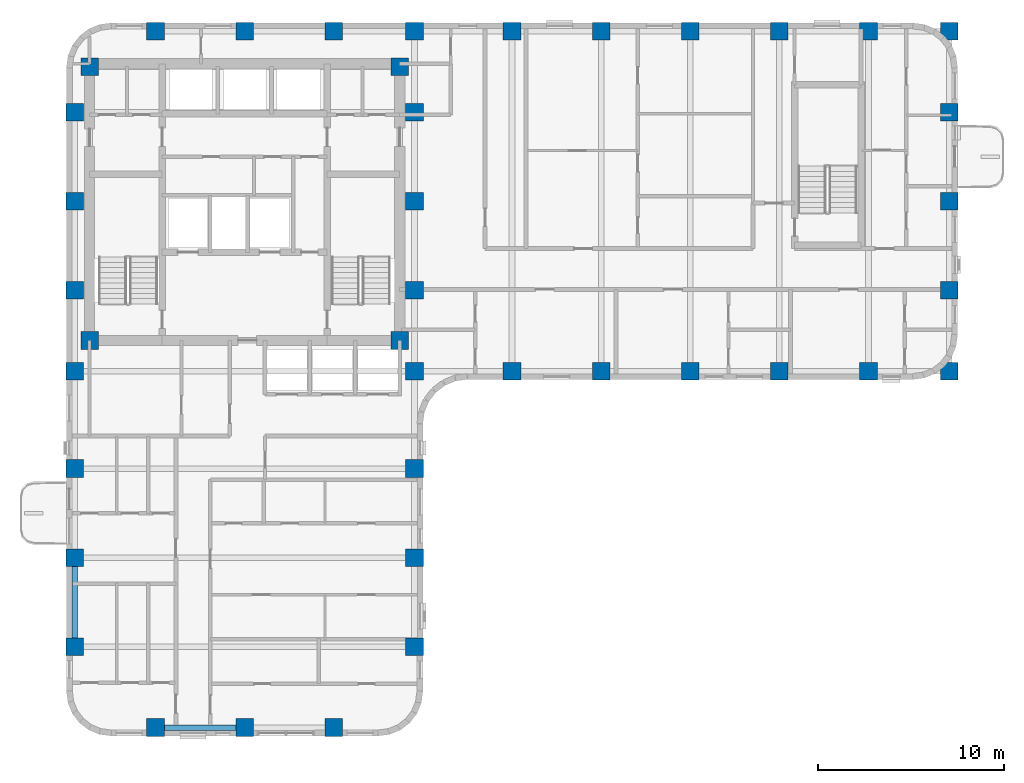
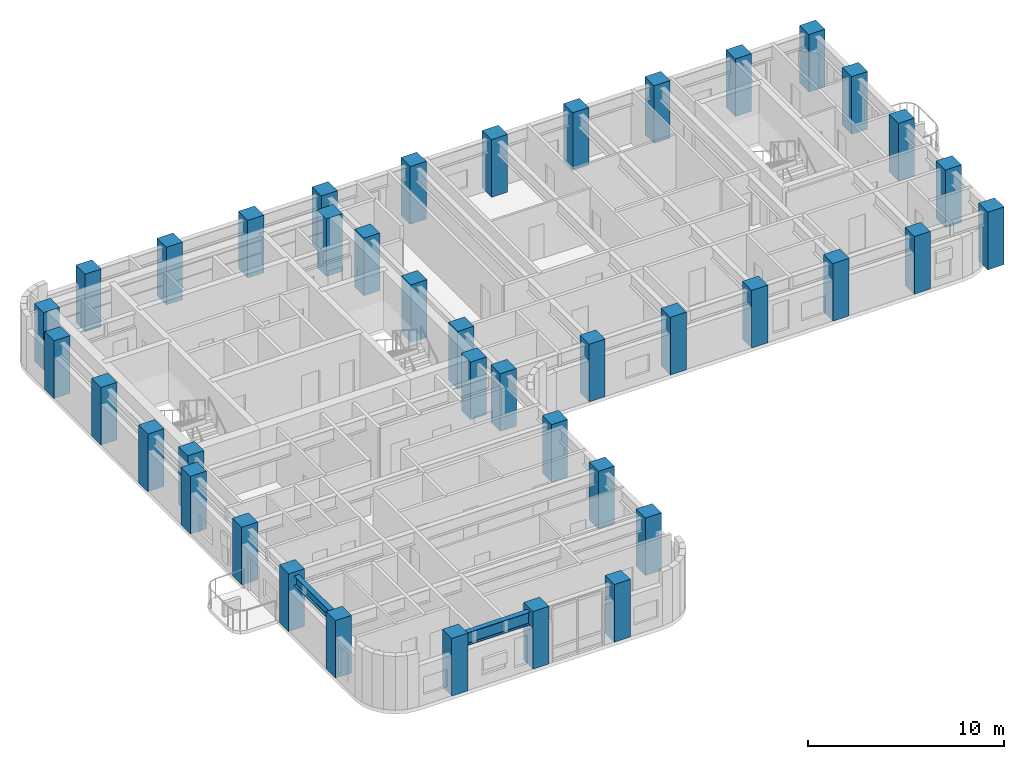
# One storey, part 1 of 11: 40 columns, 2 beams.
"""IFC4 building model written with IfcOpenShell, lengths in metres."""

from ifc_helpers import new_model, si_unit, direction, frame, origin, origin_2d, place, context, subcontext, project, spatial, rectangle, i_section, extrude, material, material_profile, profile_set, type_object, element, save


model = new_model("IFC4")

# Units and contexts
model_context = context("Model", 3, precision=1e-05, world=origin(), true_north=direction((0.0, 1.0)))
body_context = subcontext(model_context, "Body", "Model", "MODEL_VIEW")
ifc_project = project(units=[si_unit("LENGTHUNIT", "METRE"), si_unit("AREAUNIT", "SQUARE_METRE"), si_unit("VOLUMEUNIT", "CUBIC_METRE"), si_unit("PLANEANGLEUNIT", "RADIAN"), si_unit("MASSUNIT", "GRAM", prefix="KILO")], contexts=[model_context])

# Site, building, storey
site_placement = place(None, origin())
site = spatial("IfcSite", under=ifc_project, at=site_placement, CompositionType="ELEMENT")
building_placement = place(site_placement, origin())
building = spatial("IfcBuilding", under=site, at=building_placement, Name="Orvandelia Arch Residences", CompositionType="ELEMENT")
storey_placement = place(building_placement, frame((0.0, 0.0, 125.199951171875)))
storey = spatial("IfcBuildingStorey", under=building, at=storey_placement, Name="L32", CompositionType="ELEMENT", Elevation=125.199951171875)

# Columns
ifc_material_1 = material(Name="Concrete C60/75", Category="concrete")
ifc_material_profile_1 = material_profile(ifc_material_1, rectangle(XDim=0.949951171875, YDim=0.949951171875, at=origin_2d()), Name="Concrete C60/75", Category="concrete")
ifc_profile_set_1 = profile_set([ifc_material_profile_1], Name="Concrete C60/75")
column_type = type_object("IfcColumnType", Name="COL-TWR-950", PredefinedType="COLUMN", material=ifc_profile_set_1)
for number, where, z_axis, x_axis, name in (
    (1, (5.25, 14.39990234375, 0.0), (0.0, 0.0, 1.0), (1.0, 0.0, 0.0), "Structural Column L32-W-W-144"),
    (2, (5.25, 19.199951171875, 0.0), (0.0, 0.0, 1.0), (1.0, 0.0, 0.0), "Structural Column L32-W-W-192"),
    (3, (5.25, 24.0, 0.0), (0.0, 0.0, 1.0), (1.0, 0.0, 0.0), "Structural Column L32-W-W-240"),
    (4, (5.25, 29.25, 0.0), (0.0, 0.0, 1.0), (1.0, 0.0, 0.0), "Structural Column L32-W-W-292"),
    (5, (5.25, 33.60009765625, 0.0), (0.0, 0.0, 1.0), (1.0, 0.0, 0.0), "Structural Column L32-W-W-336"),
    (6, (5.25, 38.39990234375, 0.0), (0.0, 0.0, 1.0), (1.0, 0.0, 0.0), "Structural Column L32-W-W-384"),
    (7, (5.25, 43.199951171875, 0.0), (0.0, 0.0, 1.0), (1.0, 0.0, 0.0), "Structural Column L32-W-W-432"),
    (8, (6.050048828125, 30.89990234375, 0.0), (0.0, 0.0, 1.0), (1.0, 0.0, 0.0), "Structural Column L32-CR-SW"),
    (9, (6.050048828125, 45.64990234375, 0.0), (0.0, 0.0, 1.0), (1.0, 0.0, 0.0), "Structural Column L32-CR-NW"),
    (10, (9.60009765625, 10.050048828125, 0.0), (0.0, 0.0, 1.0), (1.0, 0.0, 0.0), "Structural Column L32-W-S-96"),
    (11, (9.60009765625, 47.550048828125, 0.0), (0.0, 0.0, 1.0), (1.0, 0.0, 0.0), "Structural Column L32-W-N-96"),
    (12, (14.39990234375, 10.050048828125, 0.0), (0.0, 0.0, 1.0), (1.0, 0.0, 0.0), "Structural Column L32-W-S-144"),
    (13, (14.39990234375, 47.550048828125, 0.0), (0.0, 0.0, 1.0), (1.0, 0.0, 0.0), "Structural Column L32-W-N-144"),
    (14, (19.199951171875, 10.050048828125, 0.0), (0.0, 0.0, 1.0), (1.0, 0.0, 0.0), "Structural Column L32-W-S-192"),
    (15, (19.199951171875, 47.550048828125, 0.0), (0.0, 0.0, 1.0), (1.0, 0.0, 0.0), "Structural Column L32-W-N-192"),
    (16, (22.75, 30.89990234375, 0.0), (0.0, 0.0, 1.0), (1.0, 0.0, 0.0), "Structural Column L32-CR-SE"),
    (17, (22.75, 45.64990234375, 0.0), (0.0, 0.0, 1.0), (1.0, 0.0, 0.0), "Structural Column L32-CR-NE"),
    (18, (23.550048828125, 14.39990234375, 0.0), (0.0, 0.0, 1.0), (1.0, 0.0, 0.0), "Structural Column L32-W-E-144"),
    (19, (23.550048828125, 19.199951171875, 0.0), (0.0, 0.0, 1.0), (1.0, 0.0, 0.0), "Structural Column L32-W-E-192"),
    (20, (23.550048828125, 24.0, 0.0), (0.0, 0.0, 1.0), (1.0, 0.0, 0.0), "Structural Column L32-W-E-240"),
    (21, (23.550048828125, 29.25, 0.0), (0.0, 0.0, 1.0), (1.0, 0.0, 0.0), "Structural Column L32-W-E-292"),
    (22, (23.550048828125, 33.60009765625, 0.0), (0.0, 0.0, 1.0), (1.0, 0.0, 0.0), "Structural Column L32-W-E-336"),
    (23, (23.550048828125, 38.39990234375, 0.0), (0.0, 0.0, 1.0), (1.0, 0.0, 0.0), "Structural Column L32-W-E-384"),
    (24, (23.550048828125, 43.199951171875, 0.0), (0.0, 0.0, 1.0), (1.0, 0.0, 0.0), "Structural Column L32-W-E-432"),
    (25, (23.550048828125, 47.550048828125, 0.0), (0.0, 0.0, 1.0), (1.0, 0.0, 0.0), "Structural Column L32-W-N-235"),
    (26, (28.800048828125, 29.25, 0.0), (0.0, 0.0, 1.0), (1.0, 0.0, 0.0), "Structural Column L32-E-S-288"),
    (27, (28.800048828125, 47.550048828125, 0.0), (0.0, 0.0, 1.0), (1.0, 0.0, 0.0), "Structural Column L32-E-N-288"),
    (28, (33.60009765625, 29.25, 0.0), (0.0, 0.0, 1.0), (1.0, 0.0, 0.0), "Structural Column L32-E-S-336"),
    (29, (33.60009765625, 47.550048828125, 0.0), (0.0, 0.0, 1.0), (1.0, 0.0, 0.0), "Structural Column L32-E-N-336"),
    (30, (38.39990234375, 29.25, 0.0), (0.0, 0.0, 1.0), (1.0, 0.0, 0.0), "Structural Column L32-E-S-384"),
    (31, (38.39990234375, 47.550048828125, 0.0), (0.0, 0.0, 1.0), (1.0, 0.0, 0.0), "Structural Column L32-E-N-384"),
    (32, (43.199951171875, 29.25, 0.0), (0.0, 0.0, 1.0), (1.0, 0.0, 0.0), "Structural Column L32-E-S-432"),
    (33, (43.199951171875, 47.550048828125, 0.0), (0.0, 0.0, 1.0), (1.0, 0.0, 0.0), "Structural Column L32-E-N-432"),
    (34, (48.0, 29.25, 0.0), (0.0, 0.0, 1.0), (1.0, 0.0, 0.0), "Structural Column L32-E-S-480"),
    (35, (48.0, 47.550048828125, 0.0), (0.0, 0.0, 1.0), (1.0, 0.0, 0.0), "Structural Column L32-E-N-480"),
    (36, (52.35009765625, 29.25, 0.0), (0.0, 0.0, 1.0), (1.0, 0.0, 0.0), "Structural Column L32-E-S-523"),
    (37, (52.35009765625, 33.60009765625, 0.0), (0.0, 0.0, 1.0), (1.0, 0.0, 0.0), "Structural Column L32-E-523-336"),
    (38, (52.35009765625, 38.39990234375, 0.0), (0.0, 0.0, 1.0), (1.0, 0.0, 0.0), "Structural Column L32-E-523-384"),
    (39, (52.35009765625, 43.199951171875, 0.0), (0.0, 0.0, 1.0), (1.0, 0.0, 0.0), "Structural Column L32-E-523-432"),
    (40, (52.35009765625, 47.550048828125, 0.0), (0.0, 0.0, 1.0), (1.0, 0.0, 0.0), "Structural Column L32-E-N-523"),
):
    element("IfcColumn", number, at=place(storey_placement, frame(where, z_axis=z_axis, x_axis=x_axis)), inside=storey, type_object=column_type, Name=name, PredefinedType="COLUMN", context=body_context, shape_type="SweptSolid", body=[
        extrude(rectangle(XDim=0.949951171875, YDim=0.949951171875, at=origin_2d()), origin(), (0.0, 0.0, 1.0), 3.60009765625),
    ])

# Beams
ifc_material_2 = material(Name="Structural Steel SM355 (355 MPa)", Category="steel")
ifc_material_profile_2 = material_profile(ifc_material_2, i_section(OverallWidth=0.300048828125, OverallDepth=0.800048828125, WebThickness=0.013916015625, FlangeThickness=0.02587890625, FilletRadius=0.02587890625, at=origin_2d()), Name="Structural Steel SM355 (355 MPa)", Category="steel")
ifc_profile_set_2 = profile_set([ifc_material_profile_2], Name="Structural Steel SM355 (355 MPa)")
beam_type_1 = type_object("IfcBeamType", Name="BM-GRD-H800", PredefinedType="BEAM", material=ifc_profile_set_2)
beam_1_placement = place(storey_placement, frame((9.60009765625, 10.050048828125, 2.9599609375), z_axis=(1.0, 0.0, 0.0), x_axis=(0.0, 1.0, 0.0)))
element("IfcBeam", 41, at=beam_1_placement, inside=storey, type_object=beam_type_1, Name="Structural Frame Girder L32-EW-025", PredefinedType="BEAM", context=body_context, shape_type="SweptSolid", body=[
    extrude(i_section(OverallWidth=0.300048828125, OverallDepth=0.800048828125, WebThickness=0.013916015625, FlangeThickness=0.02587890625, FilletRadius=0.02587890625, at=origin_2d()), origin(), (0.0, 0.0, 1.0), 4.7998046875),
])
ifc_material_profile_3 = material_profile(ifc_material_2, i_section(OverallWidth=0.300048828125, OverallDepth=0.587890625, WebThickness=0.011962890625, FlangeThickness=0.02001953125, FilletRadius=0.02197265625, at=origin_2d()), Name="Structural Steel SM355 (355 MPa)", Category="steel")
ifc_profile_set_3 = profile_set([ifc_material_profile_3], Name="Structural Steel SM355 (355 MPa)")
beam_type_2 = type_object("IfcBeamType", Name="BM-SPN-H588", PredefinedType="SPANDREL", material=ifc_profile_set_3)
beam_2_placement = place(storey_placement, frame((5.25, 14.39990234375, 3.066162109375), z_axis=(0.0, 1.0, 0.0), x_axis=(-1.0, 0.0, 0.0)))
element("IfcBeam", 42, at=beam_2_placement, inside=storey, type_object=beam_type_2, Name="Structural Frame Beam L32-NS-001", PredefinedType="SPANDREL", context=body_context, shape_type="SweptSolid", body=[
    extrude(i_section(OverallWidth=0.300048828125, OverallDepth=0.587890625, WebThickness=0.011962890625, FlangeThickness=0.02001953125, FilletRadius=0.02197265625, at=origin_2d()), origin(), (0.0, 0.0, 1.0), 4.800048828125),
])

save(model, "model.ifc")
